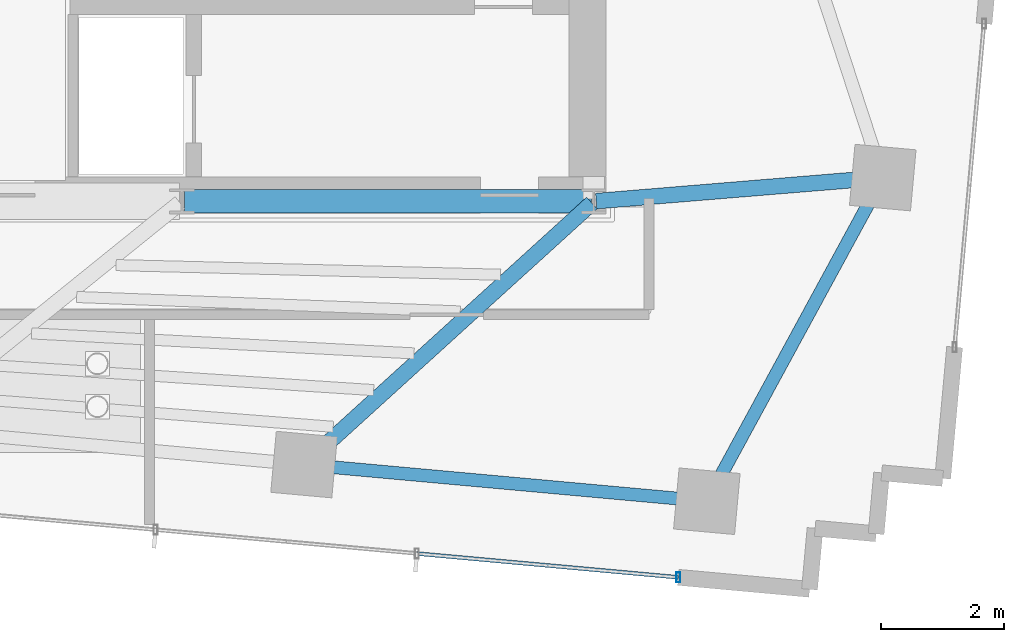
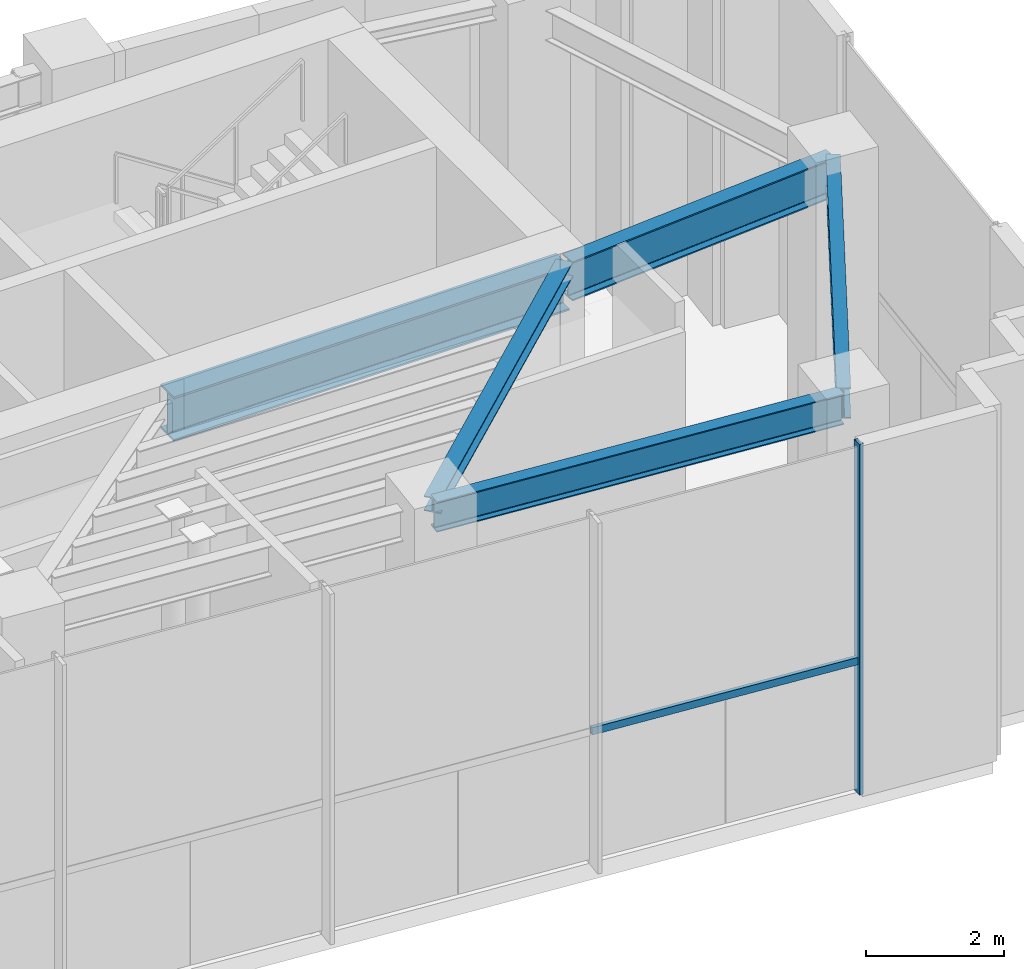
# One storey, part 7 of 14: 5 beams, 2 members, 1 element without a shape of its own.
"""IFC4 building model written with IfcOpenShell, lengths in metres."""

from ifc_helpers import new_model, si_unit, direction, frame, origin, origin_2d, place, context, subcontext, project, spatial, hollow_rectangle, i_section, extrude, source, transform, mapped, material, material_profile, profile_set, type_object, type_shapes, element, aggregate, save


model = new_model("IFC4")

# Units and contexts
model_context = context("Model", 3, precision=1e-05, world=origin(), true_north=direction((0.0, 1.0)))
body_context = subcontext(model_context, "Body", "Model", "MODEL_VIEW")
ifc_project = project(units=[si_unit("LENGTHUNIT", "METRE"), si_unit("AREAUNIT", "SQUARE_METRE"), si_unit("VOLUMEUNIT", "CUBIC_METRE"), si_unit("PLANEANGLEUNIT", "RADIAN"), si_unit("MASSUNIT", "GRAM", prefix="KILO")], contexts=[model_context])

# Site, building, storey
site_placement = place(None, origin())
site = spatial("IfcSite", under=ifc_project, at=site_placement, CompositionType="ELEMENT")
building_placement = place(site_placement, origin())
building = spatial("IfcBuilding", under=site, at=building_placement, Name="Astriad Promenade Condominiums", CompositionType="ELEMENT")
storey_placement = place(building_placement, frame((0.0, 0.0, 270.800048828125)))
storey = spatial("IfcBuildingStorey", under=building, at=storey_placement, Name="L77", CompositionType="ELEMENT", Elevation=270.800048828125)

# Beams
ifc_material_1 = material(Name="Steel ASTM A992 Grade 50", Category="steel")
ifc_material_profile_1 = material_profile(ifc_material_1, i_section(OverallWidth=0.3837890625, OverallDepth=0.785888671875, WebThickness=0.019775390625, FlangeThickness=0.033447265625, FilletRadius=0.021484375, at=origin_2d()), Name="W30X211")
ifc_profile_set_1 = profile_set([ifc_material_profile_1], Name="Steel ASTM A992 Grade 50")
beam_type_1 = type_object("IfcBeamType", Name="STEEL FLOOR GIRDER W30X211", PredefinedType="BEAM", material=ifc_profile_set_1)
shared_shape_1 = source(origin(), body_context, "Body", "SweptSolid", [
    extrude(i_section(OverallWidth=0.3837890625, OverallDepth=0.785888671875, WebThickness=0.019775390625, FlangeThickness=0.033447265625, FilletRadius=0.021484375, at=origin_2d()), origin(), (0.0, 0.0, 1.0), 6.64013671875),
])
type_shapes(beam_type_1, [shared_shape_1])
beam_1_placement = place(storey_placement, frame((38.919921875, 17.39990234375, 5.826904296875), z_axis=(1.0, 0.0, 0.0), x_axis=(0.0, 1.0, 0.0)))
element("IfcBeam", 1, at=beam_1_placement, inside=storey, type_object=beam_type_1, Name="Core Ring Beam CG-S3-L77", PredefinedType="BEAM", context=body_context, shape_type="MappedRepresentation", body=[
    mapped(shared_shape_1, transform((0.0, 0.0, 0.0), scale=1.0)),
])
ifc_material_profile_2 = material_profile(ifc_material_1, i_section(OverallWidth=0.210693359375, OverallDepth=0.53955078125, WebThickness=0.01171875, FlangeThickness=0.018798828125, FilletRadius=0.0166015625, at=origin_2d()), Name="W21X73")
ifc_profile_set_2 = profile_set([ifc_material_profile_2], Name="Steel ASTM A992 Grade 50")
beam_type_2 = type_object("IfcBeamType", Name="STEEL SPANDREL BEAM W21X73", PredefinedType="SPANDREL", material=ifc_profile_set_2)
shared_shape_2 = source(origin(), body_context, "Body", "SweptSolid", [
    extrude(i_section(OverallWidth=0.210693359375, OverallDepth=0.53955078125, WebThickness=0.01171875, FlangeThickness=0.018798828125, FilletRadius=0.0166015625, at=origin_2d()), origin(), (0.0, 0.0, 1.0), 6.52001953125),
])
beam_2_placement = place(storey_placement, frame((40.912353515625, 13.100830078125, 5.9501953125), z_axis=(0.995885836952, -0.090616774155, 0.0), x_axis=(0.090616774155, 0.995885836952, 0.0)))
element("IfcBeam", 2, at=beam_2_placement, inside=storey, type_object=beam_type_2, Name="Perimeter Spandrel Beam SP-S4-L77", PredefinedType="SPANDREL", context=body_context, shape_type="MappedRepresentation", body=[
    mapped(shared_shape_2, transform((0.0, 0.0, 0.0), scale=1.0)),
])
shared_shape_3 = source(origin(), body_context, "Body", "SweptSolid", [
    extrude(i_section(OverallWidth=0.210693359375, OverallDepth=0.53955078125, WebThickness=0.01171875, FlangeThickness=0.018798828125, FilletRadius=0.0166015625, at=origin_2d()), origin(), (0.0, 0.0, 1.0), 5.93115234375),
])
type_shapes(beam_type_2, [shared_shape_2, shared_shape_3])
beam_3_placement = place(storey_placement, frame((47.464599609375, 12.54150390625, 5.9501953125), z_axis=(0.477527827146, 0.878616625327, 0.0), x_axis=(-0.878616625327, 0.477527827146, 0.0)))
element("IfcBeam", 3, at=beam_3_placement, inside=storey, type_object=beam_type_2, Name="Perimeter Spandrel Beam SP-E1-L77", PredefinedType="SPANDREL", context=body_context, shape_type="MappedRepresentation", body=[
    mapped(shared_shape_3, transform((0.0, 0.0, 0.0), scale=1.0)),
])
ifc_material_profile_3 = material_profile(ifc_material_1, i_section(OverallWidth=0.25732421875, OverallDepth=0.26416015625, WebThickness=0.011962890625, FlangeThickness=0.01953125, FilletRadius=0.0126953125, at=origin_2d()), Name="W10X68")
ifc_profile_set_3 = profile_set([ifc_material_profile_3], Name="Steel ASTM A992 Grade 50")
beam_type_3 = type_object("IfcBeamType", Name="STEEL CANOPY BEAM W10X68", PredefinedType="BEAM", material=ifc_profile_set_3)
shared_shape_4 = source(origin(), body_context, "Body", "SweptSolid", [
    extrude(i_section(OverallWidth=0.25732421875, OverallDepth=0.26416015625, WebThickness=0.011962890625, FlangeThickness=0.01953125, FilletRadius=0.0126953125, at=origin_2d()), origin(), (0.0, 0.0, 1.0), 6.307373046875),
])
type_shapes(beam_type_3, [shared_shape_4])
beam_4_placement = place(storey_placement, frame((40.902099609375, 13.13134765625, 6.087890625), z_axis=(0.740108187387, 0.672487822167, 0.0), x_axis=(-0.672487822167, 0.740108187387, 0.0)))
element("IfcBeam", 4, at=beam_4_placement, inside=storey, type_object=beam_type_3, Name="Primary Floor Girder PG-E2-L77", PredefinedType="BEAM", context=body_context, shape_type="MappedRepresentation", body=[
    mapped(shared_shape_4, transform((0.0, 0.0, 0.0), scale=1.0)),
])
ifc_material_profile_4 = material_profile(ifc_material_1, i_section(OverallWidth=0.255859375, OverallDepth=0.693115234375, WebThickness=0.014404296875, FlangeThickness=0.023681640625, FilletRadius=0.020263671875, at=origin_2d()), Name="W27X114")
ifc_profile_set_4 = profile_set([ifc_material_profile_4], Name="Steel ASTM A992 Grade 50")
beam_type_4 = type_object("IfcBeamType", Name="STEEL FLOOR GIRDER W27X114", PredefinedType="BEAM", material=ifc_profile_set_4)
shared_shape_5 = source(origin(), body_context, "Body", "SweptSolid", [
    extrude(i_section(OverallWidth=0.255859375, OverallDepth=0.693115234375, WebThickness=0.014404296875, FlangeThickness=0.023681640625, FilletRadius=0.020263671875, at=origin_2d()), origin(), (0.0, 0.0, 1.0), 4.651611328125),
])
type_shapes(beam_type_4, [shared_shape_5])
beam_5_placement = place(storey_placement, frame((50.27587890625, 17.78466796875, 5.873291015625), z_axis=(-0.996633871262, -0.081981257934, 0.0), x_axis=(0.081981257934, -0.996633871262, 0.0)))
element("IfcBeam", 5, at=beam_5_placement, inside=storey, type_object=beam_type_4, Name="Primary Floor Girder PG-EM-L77", PredefinedType="BEAM", context=body_context, shape_type="MappedRepresentation", body=[
    mapped(shared_shape_5, transform((0.0, 0.0, 0.0), scale=1.0)),
])

# Curtain wall, members
ifc_material_2 = material(Name="Anodised aluminium Black Dark Glass Unitised", Category="aluminium")
curtain_wall_type = type_object("IfcCurtainWallType", Name="CW-TMD-LANTERN", PredefinedType="USERDEFINED", material=ifc_material_2)
curtain_wall_placement = place(storey_placement, origin())
curtain_wall = element("IfcCurtainWall", 6, at=curtain_wall_placement, inside=storey, type_object=curtain_wall_type, Name="CW-LNT-L77-18-1", ObjectType="UNITISED_CURTAIN_WALL", PredefinedType="USERDEFINED")
ifc_material_3 = material(Name="Anodised aluminium 6063-T6 Black", Category="aluminium")
ifc_material_profile_5 = material_profile(ifc_material_3, hollow_rectangle(XDim=0.06494140625, YDim=0.1298828125, WallThickness=0.00390625, at=origin_2d()), Name="ALU-TRN-65X130")
ifc_profile_set_5 = profile_set([ifc_material_profile_5], Name="Anodised aluminium 6063-T6 Black")
member_type_1 = type_object("IfcMemberType", Name="TRN-ALU-TRN-65X130", PredefinedType="USERDEFINED", material=ifc_profile_set_5)
shared_shape_6 = source(origin(), body_context, "Body", "SweptSolid", [
    extrude(hollow_rectangle(XDim=0.06494140625, YDim=0.1298828125, WallThickness=0.00390625, at=origin_2d()), origin(), (0.0, 0.0, 1.0), 4.283203125),
])
type_shapes(member_type_1, [shared_shape_6])
member_1_placement = place(storey_placement, frame((46.980712890625, 11.263427734375, 2.349853515625), z_axis=(-0.995884792497, 0.090628252065, 0.0), x_axis=(-0.090628252065, -0.995884792497, 0.0)))
member_1 = element("IfcMember", 7, at=member_1_placement, type_object=member_type_1, Name="CW-LNT-L77-18-1-TRN-00-0", ObjectType="TRANSOM", PredefinedType="USERDEFINED", context=body_context, shape_type="MappedRepresentation", body=[
    mapped(shared_shape_6, transform((0.0, 0.0, 0.0), scale=1.0)),
])
ifc_material_profile_6 = material_profile(ifc_material_3, hollow_rectangle(XDim=0.06494140625, YDim=0.159912109375, WallThickness=0.00390625, at=origin_2d()), Name="ALU-MUL-65X160")
ifc_profile_set_6 = profile_set([ifc_material_profile_6], Name="Anodised aluminium 6063-T6 Black")
member_type_2 = type_object("IfcMemberType", Name="MUL-ALU-MUL-65X160", PredefinedType="MULLION", material=ifc_profile_set_6)
shared_shape_7 = source(origin(), body_context, "Body", "SweptSolid", [
    extrude(hollow_rectangle(XDim=0.06494140625, YDim=0.159912109375, WallThickness=0.00390625, at=origin_2d()), origin(), (0.0, 0.0, 1.0), 6.219970703125),
])
type_shapes(member_type_2, [shared_shape_7])
member_2_placement = place(storey_placement, frame((46.980712890625, 11.263427734375, 0.0), z_axis=(0.0, 0.0, 1.0), x_axis=(1.0, 0.0, 0.0)))
member_2 = element("IfcMember", 8, at=member_2_placement, type_object=member_type_2, Name="CW-LNT-L77-18-1-MUL-00", PredefinedType="MULLION", context=body_context, shape_type="MappedRepresentation", body=[
    mapped(shared_shape_7, transform((0.0, 0.0, 0.0), scale=1.0)),
])
aggregate(curtain_wall, [member_2, member_1])

save(model, "model.ifc")
